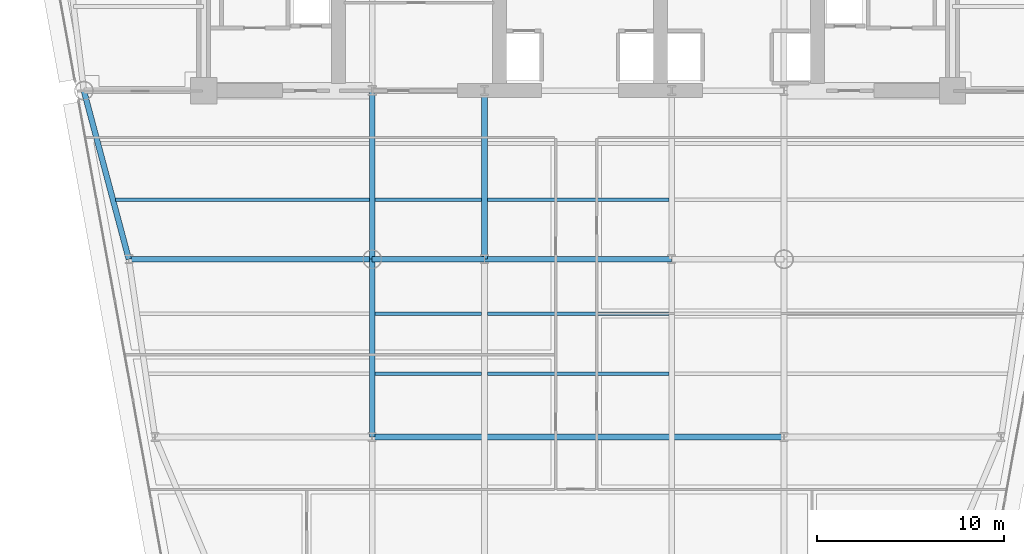
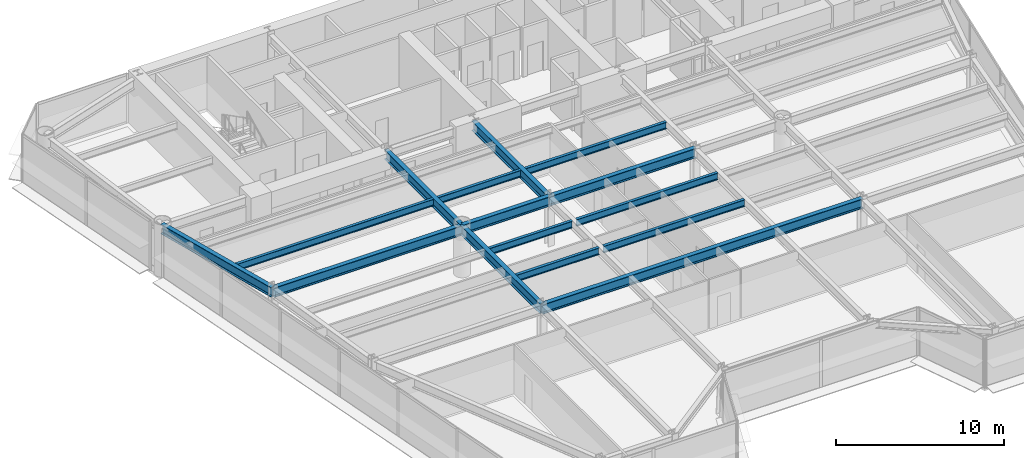
# One storey, part 3 of 14: 15 beams.
"""IFC4 building model written with IfcOpenShell, lengths in metres."""

from ifc_helpers import new_model, si_unit, direction, frame, origin, origin_2d, place, context, subcontext, project, spatial, i_section, extrude, source, transform, mapped, material, material_profile, profile_set, type_object, element, save


model = new_model("IFC4")

# Units and contexts
model_context = context("Model", 3, precision=1e-05, world=origin(), true_north=direction((0.0, 1.0)))
body_context = subcontext(model_context, "Body", "Model", "MODEL_VIEW")
ifc_project = project(units=[si_unit("LENGTHUNIT", "METRE"), si_unit("AREAUNIT", "SQUARE_METRE"), si_unit("VOLUMEUNIT", "CUBIC_METRE"), si_unit("PLANEANGLEUNIT", "RADIAN"), si_unit("MASSUNIT", "GRAM", prefix="KILO")], contexts=[model_context])

# Site, building, storey
site_placement = place(None, origin())
site = spatial("IfcSite", under=ifc_project, at=site_placement, CompositionType="ELEMENT")
building_placement = place(site_placement, origin())
building = spatial("IfcBuilding", under=site, at=building_placement, Name="Vaeldorn Concourse Tower", CompositionType="ELEMENT")
storey_placement = place(building_placement, frame((0.0, 0.0, 118.60009765625)))
storey = spatial("IfcBuildingStorey", under=building, at=storey_placement, Name="L30", CompositionType="ELEMENT", Elevation=118.60009765625)

# Beams
ifc_material = material(Name="Steel S355", Category="steel")
ifc_material_profile_1 = material_profile(ifc_material, i_section(OverallWidth=0.199951171875, OverallDepth=0.5, WebThickness=0.01025390625, FlangeThickness=0.01611328125, FilletRadius=0.02099609375, at=origin_2d()), Name="IPE 500")
ifc_profile_set_1 = profile_set([ifc_material_profile_1], Name="Steel S355")
beam_type_1 = type_object("IfcBeamType", Name="BM-JS-IPE500", PredefinedType="JOIST", material=ifc_profile_set_1)
shared_shape_1 = source(origin(), body_context, "Body", "SweptSolid", [
    extrude(i_section(OverallWidth=0.199951171875, OverallDepth=0.5, WebThickness=0.01025390625, FlangeThickness=0.01611328125, FilletRadius=0.02099609375, at=origin_2d()), origin(), (0.0, 0.0, 1.0), 5.7001953125),
])
for number, where, z_axis, x_axis, name in (
    (1, (23.14990234375, 21.3798828125, 3.329833984375), (1.0, 0.0, 0.0), (0.0, 1.0, 0.0), "Beam JS-L30-W2-213"),
    (2, (23.14990234375, 24.580078125, 3.329833984375), (1.0, 0.0, 0.0), (0.0, 1.0, 0.0), "Beam JS-L30-W2-245"),
    (3, (23.14990234375, 30.679931640625, 3.329833984375), (1.0, 0.0, 0.0), (0.0, 1.0, 0.0), "Beam JS-L30-W2-306"),
):
    element("IfcBeam", number, at=place(storey_placement, frame(where, z_axis=z_axis, x_axis=x_axis)), inside=storey, type_object=beam_type_1, Name=name, PredefinedType="JOIST", context=body_context, shape_type="MappedRepresentation", body=[
        mapped(shared_shape_1, transform((0.0, 0.0, 0.0), scale=1.0)),
    ])
shared_shape_2 = source(origin(), body_context, "Body", "SweptSolid", [
    extrude(i_section(OverallWidth=0.199951171875, OverallDepth=0.5, WebThickness=0.01025390625, FlangeThickness=0.01611328125, FilletRadius=0.02099609375, at=origin_2d()), origin(), (0.0, 0.0, 1.0), 9.7001953125),
])
for number, where, z_axis, x_axis, name in (
    (4, (29.14990234375, 21.3798828125, 3.329833984375), (1.0, 0.0, 0.0), (0.0, 1.0, 0.0), "Beam JS-L30-C-213"),
    (5, (29.14990234375, 24.580078125, 3.329833984375), (1.0, 0.0, 0.0), (0.0, 1.0, 0.0), "Beam JS-L30-C-245"),
    (6, (29.14990234375, 30.679931640625, 3.329833984375), (1.0, 0.0, 0.0), (0.0, 1.0, 0.0), "Beam JS-L30-C-306"),
):
    element("IfcBeam", number, at=place(storey_placement, frame(where, z_axis=z_axis, x_axis=x_axis)), inside=storey, type_object=beam_type_1, Name=name, PredefinedType="JOIST", context=body_context, shape_type="MappedRepresentation", body=[
        mapped(shared_shape_2, transform((0.0, 0.0, 0.0), scale=1.0)),
    ])
shared_shape_3 = source(origin(), body_context, "Body", "SweptSolid", [
    extrude(i_section(OverallWidth=0.199951171875, OverallDepth=0.5, WebThickness=0.01025390625, FlangeThickness=0.01611328125, FilletRadius=0.02099609375, at=origin_2d()), origin(), (0.0, 0.0, 1.0), 13.548095703125),
])
beam_1_placement = place(storey_placement, frame((9.302001953125, 30.679931640625, 3.329833984375), z_axis=(1.0, 0.0, 0.0), x_axis=(0.0, 1.0, 0.0)))
element("IfcBeam", 7, at=beam_1_placement, inside=storey, type_object=beam_type_1, Name="Beam JS-L30-W1-306", PredefinedType="JOIST", context=body_context, shape_type="MappedRepresentation", body=[
    mapped(shared_shape_3, transform((0.0, 0.0, 0.0), scale=1.0)),
])
ifc_material_profile_2 = material_profile(ifc_material, i_section(OverallWidth=0.300048828125, OverallDepth=0.699951171875, WebThickness=0.01708984375, FlangeThickness=0.031982421875, FilletRadius=0.027099609375, at=origin_2d()), Name="HEB 700")
ifc_profile_set_2 = profile_set([ifc_material_profile_2], Name="Steel S355")
beam_type_2 = type_object("IfcBeamType", Name="BM-PG-HEB700", PredefinedType="BEAM", material=ifc_profile_set_2)
shared_shape_4 = source(origin(), body_context, "Body", "SweptSolid", [
    extrude(i_section(OverallWidth=0.300048828125, OverallDepth=0.699951171875, WebThickness=0.01708984375, FlangeThickness=0.031982421875, FilletRadius=0.027099609375, at=origin_2d()), origin(), (0.0, 0.0, 1.0), 6.0),
])
beam_2_placement = place(storey_placement, frame((23.0, 27.5, 3.22998046875), z_axis=(1.0, 0.0, 0.0), x_axis=(0.0, 1.0, 0.0)))
element("IfcBeam", 8, at=beam_2_placement, inside=storey, type_object=beam_type_2, Name="Beam BM-L30-C-TW1-C-TW2", PredefinedType="BEAM", context=body_context, shape_type="MappedRepresentation", body=[
    mapped(shared_shape_4, transform((0.0, 0.0, 0.0), scale=1.0)),
])
shared_shape_5 = source(origin(), body_context, "Body", "SweptSolid", [
    extrude(i_section(OverallWidth=0.300048828125, OverallDepth=0.699951171875, WebThickness=0.01708984375, FlangeThickness=0.031982421875, FilletRadius=0.027099609375, at=origin_2d()), origin(), (0.0, 0.0, 1.0), 10.0),
])
beam_3_placement = place(storey_placement, frame((29.0, 27.5, 3.22998046875), z_axis=(1.0, 0.0, 0.0), x_axis=(0.0, 1.0, 0.0)))
element("IfcBeam", 9, at=beam_3_placement, inside=storey, type_object=beam_type_2, Name="Beam BM-L30-C-TW2-C-TW3", PredefinedType="BEAM", context=body_context, shape_type="MappedRepresentation", body=[
    mapped(shared_shape_5, transform((0.0, 0.0, 0.0), scale=1.0)),
])
shared_shape_6 = source(origin(), body_context, "Body", "SweptSolid", [
    extrude(i_section(OverallWidth=0.300048828125, OverallDepth=0.699951171875, WebThickness=0.01708984375, FlangeThickness=0.031982421875, FilletRadius=0.027099609375, at=origin_2d()), origin(), (0.0, 0.0, 1.0), 9.0),
])
for number, where, z_axis, x_axis, name in (
    (10, (23.0, 27.5, 3.22998046875), (0.0, 1.0, 0.0), (-1.0, 0.0, 0.0), "Beam BM-L30-C-TW1-C-FC2"),
    (11, (29.0, 27.5, 3.22998046875), (0.0, 1.0, 0.0), (-1.0, 0.0, 0.0), "Beam BM-L30-C-TW2-C-FC3"),
):
    element("IfcBeam", number, at=place(storey_placement, frame(where, z_axis=z_axis, x_axis=x_axis)), inside=storey, type_object=beam_type_2, Name=name, PredefinedType="BEAM", context=body_context, shape_type="MappedRepresentation", body=[
        mapped(shared_shape_6, transform((0.0, 0.0, 0.0), scale=1.0)),
    ])
shared_shape_7 = source(origin(), body_context, "Body", "SweptSolid", [
    extrude(i_section(OverallWidth=0.300048828125, OverallDepth=0.699951171875, WebThickness=0.01708984375, FlangeThickness=0.031982421875, FilletRadius=0.027099609375, at=origin_2d()), origin(), (0.0, 0.0, 1.0), 9.314453125),
])
beam_4_placement = place(storey_placement, frame((7.60009765625, 36.5, 3.22998046875), z_axis=(0.257652862255, -0.966237549763, 0.0), x_axis=(0.966237549763, 0.257652862255, 0.0)))
element("IfcBeam", 12, at=beam_4_placement, inside=storey, type_object=beam_type_2, Name="Beam BM-L30-C-NW2-C-FLW1", PredefinedType="BEAM", context=body_context, shape_type="MappedRepresentation", body=[
    mapped(shared_shape_7, transform((0.0, 0.0, 0.0), scale=1.0)),
])
shared_shape_8 = source(origin(), body_context, "Body", "SweptSolid", [
    extrude(i_section(OverallWidth=0.300048828125, OverallDepth=0.699951171875, WebThickness=0.01708984375, FlangeThickness=0.031982421875, FilletRadius=0.027099609375, at=origin_2d()), origin(), (0.0, 0.0, 1.0), 13.0),
])
beam_5_placement = place(storey_placement, frame((10.0, 27.5, 3.22998046875), z_axis=(1.0, 0.0, 0.0), x_axis=(0.0, 1.0, 0.0)))
element("IfcBeam", 13, at=beam_5_placement, inside=storey, type_object=beam_type_2, Name="Beam BM-L30-C-FLW1-C-TW1", PredefinedType="BEAM", context=body_context, shape_type="MappedRepresentation", body=[
    mapped(shared_shape_8, transform((0.0, 0.0, 0.0), scale=1.0)),
])
shared_shape_9 = source(origin(), body_context, "Body", "SweptSolid", [
    extrude(i_section(OverallWidth=0.300048828125, OverallDepth=0.699951171875, WebThickness=0.01708984375, FlangeThickness=0.031982421875, FilletRadius=0.027099609375, at=origin_2d()), origin(), (0.0, 0.0, 1.0), 22.0),
])
beam_6_placement = place(storey_placement, frame((23.0, 18.0, 3.22998046875), z_axis=(1.0, 0.0, 0.0), x_axis=(0.0, 1.0, 0.0)))
element("IfcBeam", 14, at=beam_6_placement, inside=storey, type_object=beam_type_2, Name="Beam BM-L30-C-TW5-C-TW6", PredefinedType="BEAM", context=body_context, shape_type="MappedRepresentation", body=[
    mapped(shared_shape_9, transform((0.0, 0.0, 0.0), scale=1.0)),
])
shared_shape_10 = source(origin(), body_context, "Body", "SweptSolid", [
    extrude(i_section(OverallWidth=0.300048828125, OverallDepth=0.699951171875, WebThickness=0.01708984375, FlangeThickness=0.031982421875, FilletRadius=0.027099609375, at=origin_2d()), origin(), (0.0, 0.0, 1.0), 9.5),
])
beam_7_placement = place(storey_placement, frame((23.0, 18.0, 3.22998046875), z_axis=(0.0, 1.0, 0.0), x_axis=(-1.0, 0.0, 0.0)))
element("IfcBeam", 15, at=beam_7_placement, inside=storey, type_object=beam_type_2, Name="Beam BM-L30-C-TW5-C-TW1", PredefinedType="BEAM", context=body_context, shape_type="MappedRepresentation", body=[
    mapped(shared_shape_10, transform((0.0, 0.0, 0.0), scale=1.0)),
])

save(model, "model.ifc")
